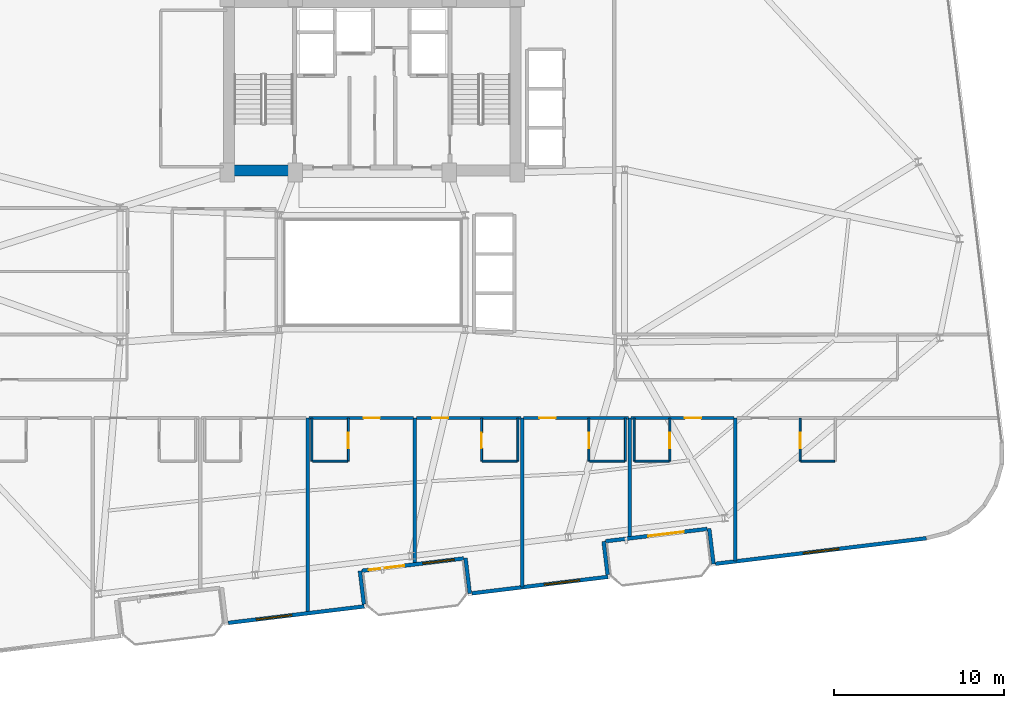
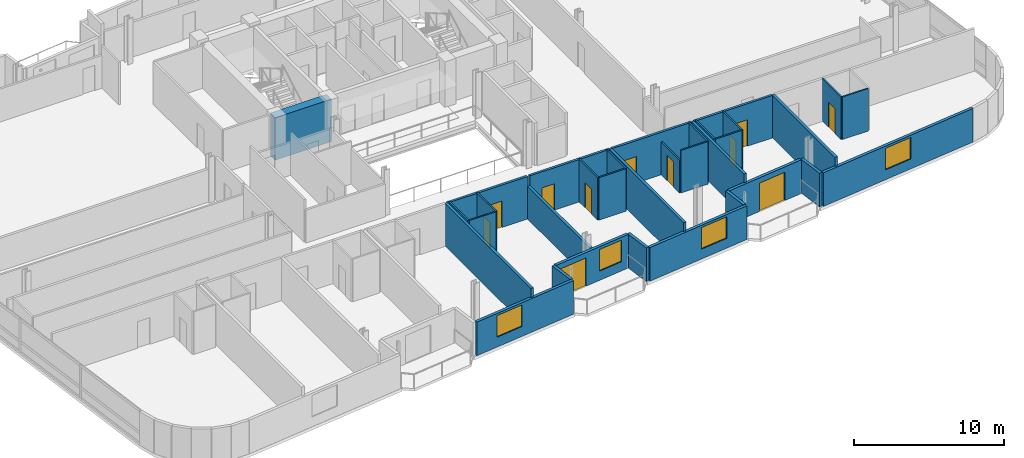
# One storey, part 15 of 23: 33 walls, 11 doors, 4 windows, 15 openings.
"""IFC4 building model written with IfcOpenShell, lengths in metres."""

import ifcopenshell
import ifcopenshell.guid

model = None  # the IFC model being written
_history = None  # IfcOwnerHistory: only IFC2X3 demands one
_inside = {}  # id of a spatial element -> (the spatial element, [elements in it])
_under = {}  # id of a project, library or spatial element -> (it, [spatial elements below it])
_declared = {}  # id of a project -> (the project, [libraries it declares])
_typed = {}  # id of a type object -> (the type object, [elements of that type])
_made_of = {}  # id of a material, layer set ... -> (it, [elements and type objects made of it])


def new_model(schema):
    """Start an empty IFC model of exactly this schema.

    Asked for "IFC4X3", IfcOpenShell would pick the latest addendum, in which some entities
    have other attributes; the version numbers below select the first issue.
    IFC2X3 requires an IfcOwnerHistory on every rooted entity: one is made here for all.
    """
    global model, _history
    if schema == "IFC4X3":
        model = ifcopenshell.file(schema_version=(4, 3, 0, 0))
    else:
        model = ifcopenshell.file(schema=schema)
    _inside.clear()
    _under.clear()
    _declared.clear()
    _typed.clear()
    _made_of.clear()
    _history = None
    if model.schema == "IFC2X3":
        org = make("IfcOrganization", Name="unknown")
        user = make(
            "IfcPersonAndOrganization",
            ThePerson=make("IfcPerson", FamilyName="unknown"),
            TheOrganization=org,
        )
        app = make(
            "IfcApplication",
            ApplicationDeveloper=org,
            Version="unknown",
            ApplicationFullName="unknown",
            ApplicationIdentifier="unknown",
        )
        _history = make(
            "IfcOwnerHistory",
            OwningUser=user,
            OwningApplication=app,
            ChangeAction="ADDED",
            CreationDate=0,
        )
    return model


def make(cls, **values):
    """One entity of the class cls with the attributes given. An attribute that is None is left unset."""
    return model.create_entity(
        cls, **{name: value for name, value in values.items() if value is not None}
    )


def rooted(cls, **values):
    """An entity with a GlobalId (a new one), such as an element, a storey or a relation."""
    return make(cls, GlobalId=ifcopenshell.guid.new(), OwnerHistory=_history, **values)


def si_unit(unit_type, name, prefix=None):
    """IfcSIUnit, for example si_unit("LENGTHUNIT", "METRE", prefix="MILLI")."""
    return make("IfcSIUnit", UnitType=unit_type, Prefix=prefix, Name=name)


def assignment(units):
    """IfcUnitAssignment: the units of a project."""
    return None if units is None else make("IfcUnitAssignment", Units=units)


def point(xyz):
    """IfcCartesianPoint."""
    return None if xyz is None else make("IfcCartesianPoint", Coordinates=xyz)


def direction(xyz):
    """IfcDirection."""
    return None if xyz is None else make("IfcDirection", DirectionRatios=xyz)


def frame(location, z_axis=None, x_axis=None):
    """IfcAxis2Placement3D, a coordinate frame: its origin and axes. An axis left out is left unset."""
    return make(
        "IfcAxis2Placement3D",
        Location=point(location),
        Axis=direction(z_axis),
        RefDirection=direction(x_axis),
    )


def frame_2d(location, x_axis=None):
    """IfcAxis2Placement2D, a coordinate frame in the plane: its origin and x axis."""
    return make(
        "IfcAxis2Placement2D", Location=point(location), RefDirection=direction(x_axis)
    )


def origin():
    """The frame at (0, 0, 0) with its axes left unset."""
    return frame((0.0, 0.0, 0.0))


def place(relative_to, where):
    """IfcLocalPlacement: puts the frame where relative to a parent placement (None: the world)."""
    return make(
        "IfcLocalPlacement", PlacementRelTo=relative_to, RelativePlacement=where
    )


def context(
    kind, dimensions, precision=None, world=None, true_north=None, identifier=None
):
    """IfcGeometricRepresentationContext, for example the 3D "Model" context."""
    return make(
        "IfcGeometricRepresentationContext",
        ContextIdentifier=identifier,
        ContextType=kind,
        CoordinateSpaceDimension=dimensions,
        Precision=precision,
        WorldCoordinateSystem=world,
        TrueNorth=true_north,
    )


def subcontext(parent, identifier, kind, view, scale=None):
    """IfcGeometricRepresentationSubContext, for example "Body" below "Model"."""
    return make(
        "IfcGeometricRepresentationSubContext",
        ContextIdentifier=identifier,
        ContextType=kind,
        ParentContext=parent,
        TargetScale=scale,
        TargetView=view,
    )


def project(units=None, contexts=None):
    """IfcProject with its units and contexts."""
    return rooted(
        "IfcProject",
        Name="project",
        RepresentationContexts=contexts,
        UnitsInContext=assignment(units),
    )


def spatial(cls, under=None, at=None, **own):
    """A site, building, storey or space (cls), placed at a placement, below another one or the project."""
    s = rooted(cls, ObjectPlacement=at, **own)
    if under is not None:
        _under.setdefault(under.id(), (under, []))[1].append(s)
    return s


def profile(cls, at=None, kind="AREA", **sizes):
    """A parametric profile (cls). Its sizes go by their IFC names, for example OverallWidth=200.0."""
    return make(cls, ProfileType=kind, Position=at, **sizes)


def rectangle(**sizes):
    """IfcRectangleProfileDef."""
    return profile("IfcRectangleProfileDef", **sizes)


def extrude(swept, where, along, depth):
    """IfcExtrudedAreaSolid: the profile swept, set in the frame where, extruded along a direction by depth."""
    return make(
        "IfcExtrudedAreaSolid",
        SweptArea=swept,
        Position=where,
        ExtrudedDirection=direction(along),
        Depth=depth,
    )


def shape(context_of_items, identifier, shape_type, items):
    """IfcShapeRepresentation: the items that make up one representation, for example the "Body"."""
    return make(
        "IfcShapeRepresentation",
        ContextOfItems=context_of_items,
        RepresentationIdentifier=identifier,
        RepresentationType=shape_type,
        Items=items,
    )


def material(Name=None, Category=None):
    """IfcMaterial."""
    return make("IfcMaterial", Name=Name, Category=Category)


def layer(
    of_material, thickness, ventilated=None, Name=None, Category=None, Priority=None
):
    """IfcMaterialLayer: one layer of a wall or slab, of a material (None: an air gap)."""
    return make(
        "IfcMaterialLayer",
        Material=of_material,
        LayerThickness=thickness,
        IsVentilated=ventilated,
        Name=Name,
        Category=Category,
        Priority=Priority,
    )


def layer_set(layers, Name=None):
    """IfcMaterialLayerSet."""
    return make("IfcMaterialLayerSet", MaterialLayers=layers, LayerSetName=Name)


def made_of(thing, what):
    """Note that an element or type object is made of a material, layer set ...; save() writes the relation."""
    if what is not None:
        _made_of.setdefault(what.id(), (what, []))[1].append(thing)
    return thing


def type_object(cls, material=None, **own):
    """A type object (cls), such as IfcWallType, which elements share."""
    return made_of(rooted(cls, **own), material)


def element(
    cls,
    number,
    at=None,
    inside=None,
    cuts=None,
    type_object=None,
    material=None,
    context=None,
    identifier="Body",
    shape_type=None,
    held_by="IfcProductDefinitionShape",
    body=None,
    shapes=None,
    **own,
):
    """One element of the class cls, such as IfcWall. Its Tag is "e" and its number.

    at: its placement. inside: the storey or other place that contains it. cuts: it is an
    opening in that element (IfcRelVoidsElement). A single representation is given by context,
    identifier, shape_type and body (its items); several are given by shapes. held_by: the class
    of the entity that holds the representations. save() writes the other relations.
    """
    e = rooted(cls, Tag="e%d" % number, ObjectPlacement=at, **own)
    if body is not None:
        shapes = [shape(context, identifier, shape_type, body)]
    if shapes is not None:
        e.Representation = make(held_by, Representations=shapes)
    if inside is not None:
        _inside.setdefault(inside.id(), (inside, []))[1].append(e)
    if cuts is not None:
        rooted(
            "IfcRelVoidsElement", RelatingBuildingElement=cuts, RelatedOpeningElement=e
        )
    if type_object is not None:
        _typed.setdefault(type_object.id(), (type_object, []))[1].append(e)
    return made_of(e, material)


def fill(opening, filler):
    """IfcRelFillsElement: the door or window that sits in an opening."""
    return rooted(
        "IfcRelFillsElement",
        RelatingOpeningElement=opening,
        RelatedBuildingElement=filler,
    )


def aggregate(whole, parts):
    """IfcRelAggregates: a whole, such as a stair, and the parts it consists of."""
    return rooted("IfcRelAggregates", RelatingObject=whole, RelatedObjects=parts)


def save(model, path):
    """Write the relations noted so far, then the file.

    IfcRelAggregates (storeys below a building ...), IfcRelContainedInSpatialStructure (elements
    in a storey), IfcRelDefinesByType, IfcRelAssociatesMaterial and IfcRelDeclares: one each for
    every whole, place, type object, material and project.
    """
    for whole, parts in _under.values():
        aggregate(whole, parts)
    for where, things in _inside.values():
        rooted(
            "IfcRelContainedInSpatialStructure",
            RelatedElements=things,
            RelatingStructure=where,
        )
    for kind, things in _typed.values():
        rooted("IfcRelDefinesByType", RelatedObjects=things, RelatingType=kind)
    for what, things in _made_of.values():
        rooted("IfcRelAssociatesMaterial", RelatedObjects=things, RelatingMaterial=what)
    for by, libraries in _declared.values():
        rooted("IfcRelDeclares", RelatingContext=by, RelatedDefinitions=libraries)
    model.write(path)


model = new_model("IFC4")

# Units and contexts
model_context = context("Model", 3, precision=1e-05, world=origin(), true_north=direction((0.0, 1.0)))
body_context = subcontext(model_context, "Body", "Model", "MODEL_VIEW")
ifc_project = project(units=[si_unit("LENGTHUNIT", "METRE"), si_unit("AREAUNIT", "SQUARE_METRE"), si_unit("VOLUMEUNIT", "CUBIC_METRE"), si_unit("PLANEANGLEUNIT", "RADIAN"), si_unit("MASSUNIT", "GRAM", prefix="KILO")], contexts=[model_context])

# Site, building, storey
site_placement = place(None, origin())
site = spatial("IfcSite", under=ifc_project, at=site_placement, CompositionType="ELEMENT")
building_placement = place(site_placement, origin())
building = spatial("IfcBuilding", under=site, at=building_placement, Name="Varnelok Gate Tower", CompositionType="ELEMENT")
storey_placement = place(building_placement, frame((0.0, 0.0, 200.5)))
storey = spatial("IfcBuildingStorey", under=building, at=storey_placement, Name="L51", CompositionType="ELEMENT", Elevation=200.5)

# Wall, openings, door, window
ifc_material_1 = material(Name="Concrete C45/55", Category="concrete")
ifc_layer_1 = layer(ifc_material_1, 0.219970703125)
ifc_layer_set_1 = layer_set([ifc_layer_1], Name="Concrete C45/55")
wall_type_1 = type_object("IfcWallType", Name="EW-BALC-220", PredefinedType="SOLIDWALL", material=ifc_layer_set_1)
wall_1_placement = place(storey_placement, frame((44.5478515625, 6.114013671875, 0.0), z_axis=(0.0, 0.0, 1.0), x_axis=(-0.992735402148, -0.120318000826, 0.0)))
wall_1 = element("IfcWall", 1, at=wall_1_placement, inside=storey, type_object=wall_type_1, Name="L51 South Terrace Envelope Wall 2", PredefinedType="SOLIDWALL", context=body_context, shape_type="SweptSolid", body=[
    extrude(rectangle(XDim=6.000244140625, YDim=0.219970703125, at=frame_2d((3.0, 0.0))), origin(), (0.0, 0.0, 1.0), 2.72998046875),
])
opening_1_placement = place(wall_1_placement, frame((3.5, 0.0, 0.0)))
opening_1 = element("IfcOpeningElement", 2, at=opening_1_placement, cuts=wall_1, Name="Opening BD-2", PredefinedType="OPENING", context=body_context, shape_type="SweptSolid", body=[
    extrude(rectangle(XDim=2.10009765625, YDim=2.300048828125, at=frame_2d((1.050048828125, 1.14990234375))), frame((0.0, 0.119873046875, 0.0), z_axis=(0.0, -1.0, 0.0), x_axis=(1.0, 0.0, 0.0)), (0.0, 0.0, 1.0), 0.239990234375),
])
opening_2_placement = place(wall_1_placement, frame((0.550048828125, 0.0, 0.75)))
opening_2 = element("IfcOpeningElement", 3, at=opening_2_placement, cuts=wall_1, Name="Opening WN5", PredefinedType="OPENING", context=body_context, shape_type="SweptSolid", body=[
    extrude(rectangle(XDim=1.85009765625, YDim=1.75, at=frame_2d((0.925048828125, 0.875))), frame((0.0, 0.119873046875, 0.0), z_axis=(0.0, -1.0, 0.0), x_axis=(1.0, 0.0, 0.0)), (0.0, 0.0, 1.0), 0.239990234375),
])
ifc_material_2 = material(Name="Anodized Aluminum Alloy 6063-T6", Category="aluminium")
door_type_1 = type_object("IfcDoorType", Name="DR-EXT-SLID2100", OperationType="SLIDING_TO_LEFT", PredefinedType="DOOR", material=ifc_material_2)
door_1_placement = place(opening_1_placement, origin())
door_1 = element("IfcDoor", 4, at=door_1_placement, inside=storey, type_object=door_type_1, Name="L51 South Balcony Glazed Door 2", OperationType="SLIDING_TO_LEFT", OverallHeight=2.300048828125, OverallWidth=2.10009765625, PredefinedType="DOOR", context=body_context, shape_type="SweptSolid", body=[
    extrude(rectangle(XDim=2.10009765625, YDim=2.300048828125, at=frame_2d((1.050048828125, 1.14990234375))), frame((0.0, 0.02490234375, 0.0), z_axis=(0.0, -1.0, 0.0), x_axis=(1.0, 0.0, 0.0)), (0.0, 0.0, 1.0), 0.050048828125),
])
fill(opening_1, door_1)
ifc_material_3 = material(Name="Low-E Laminated Double Glazing IGU", Category="glass")
window_type_1 = type_object("IfcWindowType", Name="WN-RES-1850", PartitioningType="SINGLE_PANEL", PredefinedType="WINDOW", material=ifc_material_3)
window_1_placement = place(opening_2_placement, origin())
window_1 = element("IfcWindow", 5, at=window_1_placement, inside=storey, type_object=window_type_1, Name="L51 South Vision Window 2.1", OverallHeight=1.75, OverallWidth=1.85009765625, PartitioningType="SINGLE_PANEL", PredefinedType="WINDOW", context=body_context, shape_type="SweptSolid", body=[
    extrude(rectangle(XDim=1.85009765625, YDim=1.75, at=frame_2d((0.925048828125, 0.875))), frame((0.0, 0.030029296875, 0.0), z_axis=(0.0, -1.0, 0.0), x_axis=(1.0, 0.0, 0.0)), (0.0, 0.0, 1.0), 0.06005859375),
])
fill(opening_2, window_1)

# Wall, opening, door
wall_2_placement = place(storey_placement, frame((58.843017578125, 7.84716796875, 0.0), z_axis=(0.0, 0.0, 1.0), x_axis=(-0.992729951822, -0.120362962556, 0.0)))
wall_2 = element("IfcWall", 6, at=wall_2_placement, inside=storey, type_object=wall_type_1, Name="L51 South Terrace Envelope Wall 3", PredefinedType="SOLIDWALL", context=body_context, shape_type="SweptSolid", body=[
    extrude(rectangle(XDim=6.0, YDim=0.219970703125, at=frame_2d((3.0, 0.0))), origin(), (0.0, 0.0, 1.0), 2.72998046875),
])
opening_3_placement = place(wall_2_placement, frame((1.39208984375, 0.0, 0.0)))
opening_3 = element("IfcOpeningElement", 7, at=opening_3_placement, cuts=wall_2, Name="Opening BD-2", PredefinedType="OPENING", context=body_context, shape_type="SweptSolid", body=[
    extrude(rectangle(XDim=2.10009765625, YDim=2.300048828125, at=frame_2d((1.050048828125, 1.14990234375))), frame((0.0, 0.119873046875, 0.0), z_axis=(0.0, -1.0, 0.0), x_axis=(1.0, 0.0, 0.0)), (0.0, 0.0, 1.0), 0.239990234375),
])
door_2_placement = place(opening_3_placement, origin())
door_2 = element("IfcDoor", 8, at=door_2_placement, inside=storey, type_object=door_type_1, Name="L51 South Balcony Glazed Door 3", OperationType="SLIDING_TO_LEFT", OverallHeight=2.300048828125, OverallWidth=2.10009765625, PredefinedType="DOOR", context=body_context, shape_type="SweptSolid", body=[
    extrude(rectangle(XDim=2.10009765625, YDim=2.300048828125, at=frame_2d((1.050048828125, 1.14990234375))), frame((0.0, 0.02490234375, 0.0), z_axis=(0.0, -1.0, 0.0), x_axis=(1.0, 0.0, 0.0)), (0.0, 0.0, 1.0), 0.050048828125),
])
fill(opening_3, door_2)

# Wall, opening, window
wall_3_placement = place(storey_placement, frame((30.747314453125, 2.335693359375, 0.0), z_axis=(0.0, 0.0, 1.0), x_axis=(0.992731032022, 0.120354052946, 0.0)))
wall_3 = element("IfcWall", 9, at=wall_3_placement, inside=storey, type_object=wall_type_1, Name="L51 Perimeter Facade Closure Wall 10", PredefinedType="SOLIDWALL", context=body_context, shape_type="SweptSolid", body=[
    extrude(rectangle(XDim=8.034912109375, YDim=0.219970703125, at=frame_2d((4.017578125, 0.0))), origin(), (0.0, 0.0, 1.0), 2.72998046875),
])
opening_4_placement = place(wall_3_placement, frame((1.661865234375, 0.0, 0.800048828125)))
opening_4 = element("IfcOpeningElement", 10, at=opening_4_placement, cuts=wall_3, Name="Opening WN4", PredefinedType="OPENING", context=body_context, shape_type="SweptSolid", body=[
    extrude(rectangle(XDim=2.10009765625, YDim=1.75, at=frame_2d((1.050048828125, 0.875))), frame((0.0, 0.119873046875, 0.0), z_axis=(0.0, -1.0, 0.0), x_axis=(1.0, 0.0, 0.0)), (0.0, 0.0, 1.0), 0.239990234375),
])
window_type_2 = type_object("IfcWindowType", Name="WN-SUI-2100", PartitioningType="SINGLE_PANEL", PredefinedType="WINDOW", material=ifc_material_3)
window_2_placement = place(opening_4_placement, origin())
window_2 = element("IfcWindow", 11, at=window_2_placement, inside=storey, type_object=window_type_2, Name="L51 Perimeter Vision Window 10", OverallHeight=1.75, OverallWidth=2.10009765625, PartitioningType="SINGLE_PANEL", PredefinedType="WINDOW", context=body_context, shape_type="SweptSolid", body=[
    extrude(rectangle(XDim=2.10009765625, YDim=1.75, at=frame_2d((1.050048828125, 0.875))), frame((0.0, 0.030029296875, 0.0), z_axis=(0.0, -1.0, 0.0), x_axis=(1.0, 0.0, 0.0)), (0.0, 0.0, 1.0), 0.06005859375),
])
fill(opening_4, window_2)

# Walls
wall_4_placement = place(storey_placement, frame((38.708740234375, 3.427001953125, 0.0), z_axis=(0.0, 0.0, 1.0), x_axis=(-0.120397815541, 0.992725725472, 0.0)))
element("IfcWall", 12, at=wall_4_placement, inside=storey, type_object=wall_type_1, Name="L51 Perimeter Facade Closure Wall 11", PredefinedType="SOLIDWALL", context=body_context, shape_type="SweptSolid", body=[
    extrude(rectangle(XDim=1.97509765625, YDim=0.219970703125, at=frame_2d((0.987548828125, 0.0))), origin(), (0.0, 0.0, 1.0), 2.72998046875),
])
wall_5_placement = place(storey_placement, frame((44.665771484375, 6.138427734375, 0.0), z_axis=(0.0, 0.0, 1.0), x_axis=(0.120327895535, -0.992734202874, 0.0)))
element("IfcWall", 13, at=wall_5_placement, inside=storey, type_object=wall_type_1, Name="L51 Perimeter Facade Closure Wall 12", PredefinedType="SOLIDWALL", context=body_context, shape_type="SweptSolid", body=[
    extrude(rectangle(XDim=2.099853515625, YDim=0.219970703125, at=frame_2d((1.0498046875, 0.0))), origin(), (0.0, 0.0, 1.0), 2.72998046875),
])

# Wall, opening, window
wall_6_placement = place(storey_placement, frame((45.04248046875, 4.06884765625, 0.0), z_axis=(0.0, 0.0, 1.0), x_axis=(0.992731032022, 0.120354052946, 0.0)))
wall_6 = element("IfcWall", 14, at=wall_6_placement, inside=storey, type_object=wall_type_1, Name="L51 Perimeter Facade Closure Wall 13", PredefinedType="SOLIDWALL", context=body_context, shape_type="SweptSolid", body=[
    extrude(rectangle(XDim=8.034912109375, YDim=0.219970703125, at=frame_2d((4.017578125, 0.0))), origin(), (0.0, 0.0, 1.0), 2.72998046875),
])
opening_5_placement = place(wall_6_placement, frame((4.273193359375, 0.0, 0.800048828125)))
opening_5 = element("IfcOpeningElement", 15, at=opening_5_placement, cuts=wall_6, Name="Opening WN4", PredefinedType="OPENING", context=body_context, shape_type="SweptSolid", body=[
    extrude(rectangle(XDim=2.10009765625, YDim=1.75, at=frame_2d((1.050048828125, 0.875))), frame((0.0, 0.119873046875, 0.0), z_axis=(0.0, -1.0, 0.0), x_axis=(1.0, 0.0, 0.0)), (0.0, 0.0, 1.0), 0.239990234375),
])
window_3_placement = place(opening_5_placement, origin())
window_3 = element("IfcWindow", 16, at=window_3_placement, inside=storey, type_object=window_type_2, Name="L51 Perimeter Vision Window 13", OverallHeight=1.75, OverallWidth=2.10009765625, PartitioningType="SINGLE_PANEL", PredefinedType="WINDOW", context=body_context, shape_type="SweptSolid", body=[
    extrude(rectangle(XDim=2.10009765625, YDim=1.75, at=frame_2d((1.050048828125, 0.875))), frame((0.0, 0.030029296875, 0.0), z_axis=(0.0, -1.0, 0.0), x_axis=(1.0, 0.0, 0.0)), (0.0, 0.0, 1.0), 0.06005859375),
])
fill(opening_5, window_3)

# Walls
wall_7_placement = place(storey_placement, frame((53.004150390625, 5.159912109375, 0.0), z_axis=(0.0, 0.0, 1.0), x_axis=(-0.120397815541, 0.992725725472, 0.0)))
element("IfcWall", 17, at=wall_7_placement, inside=storey, type_object=wall_type_1, Name="L51 Perimeter Facade Closure Wall 14", PredefinedType="SOLIDWALL", context=body_context, shape_type="SweptSolid", body=[
    extrude(rectangle(XDim=1.97509765625, YDim=0.219970703125, at=frame_2d((0.987548828125, 0.0))), origin(), (0.0, 0.0, 1.0), 2.72998046875),
])
wall_8_placement = place(storey_placement, frame((58.961181640625, 7.87158203125, 0.0), z_axis=(0.0, 0.0, 1.0), x_axis=(0.120327895535, -0.992734202874, 0.0)))
element("IfcWall", 18, at=wall_8_placement, inside=storey, type_object=wall_type_1, Name="L51 Perimeter Facade Closure Wall 15", PredefinedType="SOLIDWALL", context=body_context, shape_type="SweptSolid", body=[
    extrude(rectangle(XDim=2.099853515625, YDim=0.219970703125, at=frame_2d((1.0498046875, 0.0))), origin(), (0.0, 0.0, 1.0), 2.72998046875),
])

# Wall, opening, window
wall_9_placement = place(storey_placement, frame((59.337890625, 5.8017578125, 0.0), z_axis=(0.0, 0.0, 1.0), x_axis=(0.992731225757, 0.120352454927, 0.0)))
wall_9 = element("IfcWall", 19, at=wall_9_placement, inside=storey, type_object=wall_type_1, Name="L51 Perimeter Facade Closure Wall 16", PredefinedType="SOLIDWALL", context=body_context, shape_type="SweptSolid", body=[
    extrude(rectangle(XDim=12.447265625, YDim=0.219970703125, at=frame_2d((6.2236328125, 0.0))), origin(), (0.0, 0.0, 1.0), 2.72998046875),
])
opening_6_placement = place(wall_9_placement, frame((5.173583984375, 0.0, 0.800048828125)))
opening_6 = element("IfcOpeningElement", 20, at=opening_6_placement, cuts=wall_9, Name="Opening WN4", PredefinedType="OPENING", context=body_context, shape_type="SweptSolid", body=[
    extrude(rectangle(XDim=2.10009765625, YDim=1.75, at=frame_2d((1.050048828125, 0.875))), frame((0.0, 0.119873046875, 0.0), z_axis=(0.0, -1.0, 0.0), x_axis=(1.0, 0.0, 0.0)), (0.0, 0.0, 1.0), 0.239990234375),
])
window_4_placement = place(opening_6_placement, origin())
window_4 = element("IfcWindow", 21, at=window_4_placement, inside=storey, type_object=window_type_2, Name="L51 Perimeter Vision Window 16", OverallHeight=1.75, OverallWidth=2.10009765625, PartitioningType="SINGLE_PANEL", PredefinedType="WINDOW", context=body_context, shape_type="SweptSolid", body=[
    extrude(rectangle(XDim=2.10009765625, YDim=1.75, at=frame_2d((1.050048828125, 0.875))), frame((0.0, 0.030029296875, 0.0), z_axis=(0.0, -1.0, 0.0), x_axis=(1.0, 0.0, 0.0)), (0.0, 0.0, 1.0), 0.06005859375),
])
fill(opening_6, window_4)

# Wall, opening, door
ifc_material_4 = material(Name="Gypsum Plasterboard Acoustic Partition", Category="gypsum")
ifc_layer_2 = layer(ifc_material_4, 0.179931640625)
ifc_layer_set_2 = layer_set([ifc_layer_2], Name="Gypsum Plasterboard Acoustic Partition")
wall_type_2 = type_object("IfcWallType", Name="PW-CORR-180", PredefinedType="PARTITIONING", material=ifc_layer_set_2)
wall_10_placement = place(storey_placement, frame((35.47998046875, 14.35009765625, 0.0), z_axis=(0.0, 0.0, 1.0), x_axis=(1.0, 0.0, 0.0)))
wall_10 = element("IfcWall", 22, at=wall_10_placement, inside=storey, type_object=wall_type_2, Name="Interior Partition", PredefinedType="PARTITIONING", context=body_context, shape_type="SweptSolid", body=[
    extrude(rectangle(XDim=6.14013671875, YDim=0.179931640625, at=frame_2d((3.070068359375, 0.0))), origin(), (0.0, 0.0, 1.0), 3.449951171875),
])
opening_7_placement = place(wall_10_placement, frame((3.21435546875, 0.0, 0.0)))
opening_7 = element("IfcOpeningElement", 23, at=opening_7_placement, cuts=wall_10, Name="Opening D-HT", PredefinedType="OPENING", context=body_context, shape_type="SweptSolid", body=[
    extrude(rectangle(XDim=0.949951171875, YDim=2.14990234375, at=frame_2d((0.47509765625, 1.074951171875))), frame((0.0, 0.099853515625, 0.0), z_axis=(0.0, -1.0, 0.0), x_axis=(1.0, 0.0, 0.0)), (0.0, 0.0, 1.0), 0.199951171875),
])
ifc_material_5 = material(Name="Engineered Hardwood Timber", Category="wood")
door_type_2 = type_object("IfcDoorType", Name="DR-HTL-950", OperationType="NOTDEFINED", PredefinedType="DOOR", material=ifc_material_5)
door_3_placement = place(opening_7_placement, origin())
door_3 = element("IfcDoor", 24, at=door_3_placement, inside=storey, type_object=door_type_2, Name="L51 Guest Room 05 Entrance Door", OperationType="SINGLE_SWING_RIGHT", OverallHeight=2.14990234375, OverallWidth=0.949951171875, PredefinedType="DOOR", context=body_context, shape_type="SweptSolid", body=[
    extrude(rectangle(XDim=0.949951171875, YDim=2.14990234375, at=frame_2d((0.47509765625, 1.074951171875))), frame((0.0, 0.02490234375, 0.0), z_axis=(0.0, -1.0, 0.0), x_axis=(1.0, 0.0, 0.0)), (0.0, 0.0, 1.0), 0.050048828125),
])
fill(opening_7, door_3)

wall_11_placement = place(storey_placement, frame((41.780029296875, 14.35009765625, 0.0), z_axis=(0.0, 0.0, 1.0), x_axis=(1.0, 0.0, 0.0)))
wall_11 = element("IfcWall", 25, at=wall_11_placement, inside=storey, type_object=wall_type_2, Name="Interior Partition", PredefinedType="PARTITIONING", context=body_context, shape_type="SweptSolid", body=[
    extrude(rectangle(XDim=6.139892578125, YDim=0.179931640625, at=frame_2d((3.06982421875, 0.0))), origin(), (0.0, 0.0, 1.0), 3.449951171875),
])
opening_8_placement = place(wall_11_placement, frame((0.92236328125, 0.0, 0.0)))
opening_8 = element("IfcOpeningElement", 26, at=opening_8_placement, cuts=wall_11, Name="Opening D-HT", PredefinedType="OPENING", context=body_context, shape_type="SweptSolid", body=[
    extrude(rectangle(XDim=0.949951171875, YDim=2.14990234375, at=frame_2d((0.47509765625, 1.074951171875))), frame((0.0, 0.099853515625, 0.0), z_axis=(0.0, -1.0, 0.0), x_axis=(1.0, 0.0, 0.0)), (0.0, 0.0, 1.0), 0.199951171875),
])
door_4_placement = place(opening_8_placement, origin())
door_4 = element("IfcDoor", 27, at=door_4_placement, inside=storey, type_object=door_type_2, Name="L51 Guest Room 06 Entrance Door", OperationType="SINGLE_SWING_LEFT", OverallHeight=2.14990234375, OverallWidth=0.949951171875, PredefinedType="DOOR", context=body_context, shape_type="SweptSolid", body=[
    extrude(rectangle(XDim=0.949951171875, YDim=2.14990234375, at=frame_2d((0.47509765625, 1.074951171875))), frame((0.0, 0.02490234375, 0.0), z_axis=(0.0, -1.0, 0.0), x_axis=(1.0, 0.0, 0.0)), (0.0, 0.0, 1.0), 0.050048828125),
])
fill(opening_8, door_4)

wall_12_placement = place(storey_placement, frame((48.080078125, 14.35009765625, 0.0), z_axis=(0.0, 0.0, 1.0), x_axis=(1.0, 0.0, 0.0)))
wall_12 = element("IfcWall", 28, at=wall_12_placement, inside=storey, type_object=wall_type_2, Name="Interior Partition", PredefinedType="PARTITIONING", context=body_context, shape_type="SweptSolid", body=[
    extrude(rectangle(XDim=6.139892578125, YDim=0.179931640625, at=frame_2d((3.06982421875, 0.0))), origin(), (0.0, 0.0, 1.0), 3.449951171875),
])
opening_9_placement = place(wall_12_placement, frame((0.92236328125, 0.0, 0.0)))
opening_9 = element("IfcOpeningElement", 29, at=opening_9_placement, cuts=wall_12, Name="Opening D-HT", PredefinedType="OPENING", context=body_context, shape_type="SweptSolid", body=[
    extrude(rectangle(XDim=0.949951171875, YDim=2.14990234375, at=frame_2d((0.47509765625, 1.074951171875))), frame((0.0, 0.099853515625, 0.0), z_axis=(0.0, -1.0, 0.0), x_axis=(1.0, 0.0, 0.0)), (0.0, 0.0, 1.0), 0.199951171875),
])
door_5_placement = place(opening_9_placement, origin())
door_5 = element("IfcDoor", 30, at=door_5_placement, inside=storey, type_object=door_type_2, Name="L51 Guest Room 07 Entrance Door", OperationType="SINGLE_SWING_RIGHT", OverallHeight=2.14990234375, OverallWidth=0.949951171875, PredefinedType="DOOR", context=body_context, shape_type="SweptSolid", body=[
    extrude(rectangle(XDim=0.949951171875, YDim=2.14990234375, at=frame_2d((0.47509765625, 1.074951171875))), frame((0.0, 0.02490234375, 0.0), z_axis=(0.0, -1.0, 0.0), x_axis=(1.0, 0.0, 0.0)), (0.0, 0.0, 1.0), 0.050048828125),
])
fill(opening_9, door_5)

wall_13_placement = place(storey_placement, frame((54.3798828125, 14.35009765625, 0.0), z_axis=(0.0, 0.0, 1.0), x_axis=(1.0, 0.0, 0.0)))
wall_13 = element("IfcWall", 31, at=wall_13_placement, inside=storey, type_object=wall_type_2, Name="Interior Partition", PredefinedType="PARTITIONING", context=body_context, shape_type="SweptSolid", body=[
    extrude(rectangle(XDim=6.0400390625, YDim=0.179931640625, at=frame_2d((3.02001953125, 0.0))), origin(), (0.0, 0.0, 1.0), 3.449951171875),
])
opening_10_placement = place(wall_13_placement, frame((3.159912109375, 0.0, 0.0)))
opening_10 = element("IfcOpeningElement", 32, at=opening_10_placement, cuts=wall_13, Name="Opening D-HT", PredefinedType="OPENING", context=body_context, shape_type="SweptSolid", body=[
    extrude(rectangle(XDim=0.949951171875, YDim=2.14990234375, at=frame_2d((0.47509765625, 1.074951171875))), frame((0.0, 0.099853515625, 0.0), z_axis=(0.0, -1.0, 0.0), x_axis=(1.0, 0.0, 0.0)), (0.0, 0.0, 1.0), 0.199951171875),
])
door_6_placement = place(opening_10_placement, origin())
door_6 = element("IfcDoor", 33, at=door_6_placement, inside=storey, type_object=door_type_2, Name="L51 Guest Room 08 Entrance Door", OperationType="SINGLE_SWING_LEFT", OverallHeight=2.14990234375, OverallWidth=0.949951171875, PredefinedType="DOOR", context=body_context, shape_type="SweptSolid", body=[
    extrude(rectangle(XDim=0.949951171875, YDim=2.14990234375, at=frame_2d((0.47509765625, 1.074951171875))), frame((0.0, 0.02490234375, 0.0), z_axis=(0.0, -1.0, 0.0), x_axis=(1.0, 0.0, 0.0)), (0.0, 0.0, 1.0), 0.050048828125),
])
fill(opening_10, door_6)

# Wall
ifc_layer_3 = layer(ifc_material_4, 0.114990234375)
ifc_layer_set_3 = layer_set([ifc_layer_3], Name="Gypsum Plasterboard Acoustic Partition")
wall_type_3 = type_object("IfcWallType", Name="PW-ENS-125", PredefinedType="PARTITIONING", material=ifc_layer_set_3)
wall_14_placement = place(storey_placement, frame((35.699951171875, 11.830078125, 0.0), z_axis=(0.0, 0.0, 1.0), x_axis=(1.0, 0.0, 0.0)))
element("IfcWall", 34, at=wall_14_placement, inside=storey, type_object=wall_type_3, Name="Interior Partition", PredefinedType="PARTITIONING", context=body_context, shape_type="SweptSolid", body=[
    extrude(rectangle(XDim=2.052001953125, YDim=0.114990234375, at=frame_2d((1.02587890625, 0.0))), origin(), (0.0, 0.0, 1.0), 3.449951171875),
])

# Wall, opening, door
wall_15_placement = place(storey_placement, frame((37.7919921875, 11.830078125, 0.0), z_axis=(0.0, 0.0, 1.0), x_axis=(0.0, 1.0, 0.0)))
wall_15 = element("IfcWall", 35, at=wall_15_placement, inside=storey, type_object=wall_type_3, Name="Interior Partition", PredefinedType="PARTITIONING", context=body_context, shape_type="SweptSolid", body=[
    extrude(rectangle(XDim=2.52001953125, YDim=0.114990234375, at=frame_2d((1.260009765625, 0.0))), origin(), (0.0, 0.0, 1.0), 3.449951171875),
])
opening_11_placement = place(wall_15_placement, frame((0.760009765625, 0.0, 0.0)))
opening_11 = element("IfcOpeningElement", 36, at=opening_11_placement, cuts=wall_15, Name="Opening D-WC", PredefinedType="OPENING", context=body_context, shape_type="SweptSolid", body=[
    extrude(rectangle(XDim=0.89990234375, YDim=2.050048828125, at=frame_2d((0.449951171875, 1.02490234375))), frame((0.0, 0.0673828125, 0.0), z_axis=(0.0, -1.0, 0.0), x_axis=(1.0, 0.0, 0.0)), (0.0, 0.0, 1.0), 0.135009765625),
])
door_type_3 = type_object("IfcDoorType", Name="DR-BATH-900", OperationType="NOTDEFINED", PredefinedType="DOOR", material=ifc_material_5)
door_7_placement = place(opening_11_placement, origin())
door_7 = element("IfcDoor", 37, at=door_7_placement, inside=storey, type_object=door_type_3, Name="L51 Guest En-Suite 05 Door", OperationType="SINGLE_SWING_LEFT", OverallHeight=2.050048828125, OverallWidth=0.89990234375, PredefinedType="DOOR", context=body_context, shape_type="SweptSolid", body=[
    extrude(rectangle(XDim=0.89990234375, YDim=2.050048828125, at=frame_2d((0.449951171875, 1.02490234375))), frame((0.0, 0.02490234375, 0.0), z_axis=(0.0, -1.0, 0.0), x_axis=(1.0, 0.0, 0.0)), (0.0, 0.0, 1.0), 0.050048828125),
])
fill(opening_11, door_7)

# Walls
wall_16_placement = place(storey_placement, frame((35.659912109375, 11.830078125, 0.0), z_axis=(0.0, 0.0, 1.0), x_axis=(0.0, 1.0, 0.0)))
element("IfcWall", 38, at=wall_16_placement, inside=storey, type_object=wall_type_3, Name="Interior Partition", PredefinedType="PARTITIONING", context=body_context, shape_type="SweptSolid", body=[
    extrude(rectangle(XDim=2.52001953125, YDim=0.114990234375, at=frame_2d((1.260009765625, 0.0))), origin(), (0.0, 0.0, 1.0), 3.449951171875),
])
wall_17_placement = place(storey_placement, frame((45.64794921875, 11.830078125, 0.0), z_axis=(0.0, 0.0, 1.0), x_axis=(1.0, 0.0, 0.0)))
element("IfcWall", 39, at=wall_17_placement, inside=storey, type_object=wall_type_3, Name="Interior Partition", PredefinedType="PARTITIONING", context=body_context, shape_type="SweptSolid", body=[
    extrude(rectangle(XDim=2.052001953125, YDim=0.114990234375, at=frame_2d((1.02587890625, 0.0))), origin(), (0.0, 0.0, 1.0), 3.449951171875),
])

# Wall, opening, door
wall_18_placement = place(storey_placement, frame((45.60791015625, 11.830078125, 0.0), z_axis=(0.0, 0.0, 1.0), x_axis=(0.0, 1.0, 0.0)))
wall_18 = element("IfcWall", 40, at=wall_18_placement, inside=storey, type_object=wall_type_3, Name="Interior Partition", PredefinedType="PARTITIONING", context=body_context, shape_type="SweptSolid", body=[
    extrude(rectangle(XDim=2.52001953125, YDim=0.114990234375, at=frame_2d((1.260009765625, 0.0))), origin(), (0.0, 0.0, 1.0), 3.449951171875),
])
opening_12_placement = place(wall_18_placement, frame((0.760009765625, 0.0, 0.0)))
opening_12 = element("IfcOpeningElement", 41, at=opening_12_placement, cuts=wall_18, Name="Opening D-WC", PredefinedType="OPENING", context=body_context, shape_type="SweptSolid", body=[
    extrude(rectangle(XDim=0.89990234375, YDim=2.050048828125, at=frame_2d((0.449951171875, 1.02490234375))), frame((0.0, 0.0673828125, 0.0), z_axis=(0.0, -1.0, 0.0), x_axis=(1.0, 0.0, 0.0)), (0.0, 0.0, 1.0), 0.135009765625),
])
door_8_placement = place(opening_12_placement, origin())
door_8 = element("IfcDoor", 42, at=door_8_placement, inside=storey, type_object=door_type_3, Name="L51 Guest En-Suite 06 Door", OperationType="SINGLE_SWING_RIGHT", OverallHeight=2.050048828125, OverallWidth=0.89990234375, PredefinedType="DOOR", context=body_context, shape_type="SweptSolid", body=[
    extrude(rectangle(XDim=0.89990234375, YDim=2.050048828125, at=frame_2d((0.449951171875, 1.02490234375))), frame((0.0, 0.02490234375, 0.0), z_axis=(0.0, -1.0, 0.0), x_axis=(1.0, 0.0, 0.0)), (0.0, 0.0, 1.0), 0.050048828125),
])
fill(opening_12, door_8)

# Walls
wall_19_placement = place(storey_placement, frame((47.739990234375, 11.830078125, 0.0), z_axis=(0.0, 0.0, 1.0), x_axis=(0.0, 1.0, 0.0)))
element("IfcWall", 43, at=wall_19_placement, inside=storey, type_object=wall_type_3, Name="Interior Partition", PredefinedType="PARTITIONING", context=body_context, shape_type="SweptSolid", body=[
    extrude(rectangle(XDim=2.52001953125, YDim=0.114990234375, at=frame_2d((1.260009765625, 0.0))), origin(), (0.0, 0.0, 1.0), 3.449951171875),
])
wall_20_placement = place(storey_placement, frame((51.947998046875, 11.830078125, 0.0), z_axis=(0.0, 0.0, 1.0), x_axis=(1.0, 0.0, 0.0)))
element("IfcWall", 44, at=wall_20_placement, inside=storey, type_object=wall_type_3, Name="Interior Partition", PredefinedType="PARTITIONING", context=body_context, shape_type="SweptSolid", body=[
    extrude(rectangle(XDim=2.052001953125, YDim=0.114990234375, at=frame_2d((1.02587890625, 0.0))), origin(), (0.0, 0.0, 1.0), 3.449951171875),
])

# Wall, opening, door
wall_21_placement = place(storey_placement, frame((51.907958984375, 11.830078125, 0.0), z_axis=(0.0, 0.0, 1.0), x_axis=(0.0, 1.0, 0.0)))
wall_21 = element("IfcWall", 45, at=wall_21_placement, inside=storey, type_object=wall_type_3, Name="Interior Partition", PredefinedType="PARTITIONING", context=body_context, shape_type="SweptSolid", body=[
    extrude(rectangle(XDim=2.52001953125, YDim=0.114990234375, at=frame_2d((1.260009765625, 0.0))), origin(), (0.0, 0.0, 1.0), 2.662109375),
])
opening_13_placement = place(wall_21_placement, frame((0.760009765625, 0.0, 0.0)))
opening_13 = element("IfcOpeningElement", 46, at=opening_13_placement, cuts=wall_21, Name="Opening D-WC", PredefinedType="OPENING", context=body_context, shape_type="SweptSolid", body=[
    extrude(rectangle(XDim=0.89990234375, YDim=2.050048828125, at=frame_2d((0.449951171875, 1.02490234375))), frame((0.0, 0.0673828125, 0.0), z_axis=(0.0, -1.0, 0.0), x_axis=(1.0, 0.0, 0.0)), (0.0, 0.0, 1.0), 0.135009765625),
])
door_9_placement = place(opening_13_placement, origin())
door_9 = element("IfcDoor", 47, at=door_9_placement, inside=storey, type_object=door_type_3, Name="L51 Guest En-Suite 07 Door", OperationType="SINGLE_SWING_RIGHT", OverallHeight=2.050048828125, OverallWidth=0.89990234375, PredefinedType="DOOR", context=body_context, shape_type="SweptSolid", body=[
    extrude(rectangle(XDim=0.89990234375, YDim=2.050048828125, at=frame_2d((0.449951171875, 1.02490234375))), frame((0.0, 0.02490234375, 0.0), z_axis=(0.0, -1.0, 0.0), x_axis=(1.0, 0.0, 0.0)), (0.0, 0.0, 1.0), 0.050048828125),
])
fill(opening_13, door_9)

# Walls
wall_22_placement = place(storey_placement, frame((54.0400390625, 11.830078125, 0.0), z_axis=(0.0, 0.0, 1.0), x_axis=(0.0, 1.0, 0.0)))
element("IfcWall", 48, at=wall_22_placement, inside=storey, type_object=wall_type_3, Name="Interior Partition", PredefinedType="PARTITIONING", context=body_context, shape_type="SweptSolid", body=[
    extrude(rectangle(XDim=2.52001953125, YDim=0.114990234375, at=frame_2d((1.260009765625, 0.0))), origin(), (0.0, 0.0, 1.0), 3.449951171875),
])
wall_23_placement = place(storey_placement, frame((54.60009765625, 11.830078125, 0.0), z_axis=(0.0, 0.0, 1.0), x_axis=(1.0, 0.0, 0.0)))
element("IfcWall", 49, at=wall_23_placement, inside=storey, type_object=wall_type_3, Name="Interior Partition", PredefinedType="PARTITIONING", context=body_context, shape_type="SweptSolid", body=[
    extrude(rectangle(XDim=2.015869140625, YDim=0.114990234375, at=frame_2d((1.0078125, 0.0))), origin(), (0.0, 0.0, 1.0), 3.449951171875),
])

# Wall, opening, door
wall_24_placement = place(storey_placement, frame((56.656005859375, 11.830078125, 0.0), z_axis=(0.0, 0.0, 1.0), x_axis=(0.0, 1.0, 0.0)))
wall_24 = element("IfcWall", 50, at=wall_24_placement, inside=storey, type_object=wall_type_3, Name="Interior Partition", PredefinedType="PARTITIONING", context=body_context, shape_type="SweptSolid", body=[
    extrude(rectangle(XDim=2.52001953125, YDim=0.114990234375, at=frame_2d((1.260009765625, 0.0))), origin(), (0.0, 0.0, 1.0), 3.449951171875),
])
opening_14_placement = place(wall_24_placement, frame((0.760009765625, 0.0, 0.0)))
opening_14 = element("IfcOpeningElement", 51, at=opening_14_placement, cuts=wall_24, Name="Opening D-WC", PredefinedType="OPENING", context=body_context, shape_type="SweptSolid", body=[
    extrude(rectangle(XDim=0.89990234375, YDim=2.050048828125, at=frame_2d((0.449951171875, 1.02490234375))), frame((0.0, 0.0673828125, 0.0), z_axis=(0.0, -1.0, 0.0), x_axis=(1.0, 0.0, 0.0)), (0.0, 0.0, 1.0), 0.135009765625),
])
door_10_placement = place(opening_14_placement, origin())
door_10 = element("IfcDoor", 52, at=door_10_placement, inside=storey, type_object=door_type_3, Name="L51 Guest En-Suite 08 Door", OperationType="SINGLE_SWING_LEFT", OverallHeight=2.050048828125, OverallWidth=0.89990234375, PredefinedType="DOOR", context=body_context, shape_type="SweptSolid", body=[
    extrude(rectangle(XDim=0.89990234375, YDim=2.050048828125, at=frame_2d((0.449951171875, 1.02490234375))), frame((0.0, 0.02490234375, 0.0), z_axis=(0.0, -1.0, 0.0), x_axis=(1.0, 0.0, 0.0)), (0.0, 0.0, 1.0), 0.050048828125),
])
fill(opening_14, door_10)

# Walls
wall_25_placement = place(storey_placement, frame((54.56005859375, 11.830078125, 0.0), z_axis=(0.0, 0.0, 1.0), x_axis=(0.0, 1.0, 0.0)))
element("IfcWall", 53, at=wall_25_placement, inside=storey, type_object=wall_type_3, Name="Interior Partition", PredefinedType="PARTITIONING", context=body_context, shape_type="SweptSolid", body=[
    extrude(rectangle(XDim=2.52001953125, YDim=0.114990234375, at=frame_2d((1.260009765625, 0.0))), origin(), (0.0, 0.0, 1.0), 3.449951171875),
])
wall_26_placement = place(storey_placement, frame((64.332763671875, 11.830078125, 0.0), z_axis=(0.0, 0.0, 1.0), x_axis=(1.0, 0.0, 0.0)))
element("IfcWall", 54, at=wall_26_placement, inside=storey, type_object=wall_type_3, Name="Interior Partition", PredefinedType="PARTITIONING", context=body_context, shape_type="SweptSolid", body=[
    extrude(rectangle(XDim=1.9873046875, YDim=0.114990234375, at=frame_2d((0.99365234375, 0.0))), origin(), (0.0, 0.0, 1.0), 3.449951171875),
])

# Wall, opening, door
wall_27_placement = place(storey_placement, frame((64.292724609375, 11.830078125, 0.0), z_axis=(0.0, 0.0, 1.0), x_axis=(0.0, 1.0, 0.0)))
wall_27 = element("IfcWall", 55, at=wall_27_placement, inside=storey, type_object=wall_type_3, Name="Interior Partition", PredefinedType="PARTITIONING", context=body_context, shape_type="SweptSolid", body=[
    extrude(rectangle(XDim=2.52001953125, YDim=0.114990234375, at=frame_2d((1.260009765625, 0.0))), origin(), (0.0, 0.0, 1.0), 3.449951171875),
])
opening_15_placement = place(wall_27_placement, frame((0.760009765625, 0.0, 0.0)))
opening_15 = element("IfcOpeningElement", 56, at=opening_15_placement, cuts=wall_27, Name="Opening D-WC", PredefinedType="OPENING", context=body_context, shape_type="SweptSolid", body=[
    extrude(rectangle(XDim=0.89990234375, YDim=2.050048828125, at=frame_2d((0.449951171875, 1.02490234375))), frame((0.0, 0.0673828125, 0.0), z_axis=(0.0, -1.0, 0.0), x_axis=(1.0, 0.0, 0.0)), (0.0, 0.0, 1.0), 0.135009765625),
])
door_11_placement = place(opening_15_placement, origin())
door_11 = element("IfcDoor", 57, at=door_11_placement, inside=storey, type_object=door_type_3, Name="L51 Guest En-Suite 09 Door", OperationType="SINGLE_SWING_RIGHT", OverallHeight=2.050048828125, OverallWidth=0.89990234375, PredefinedType="DOOR", context=body_context, shape_type="SweptSolid", body=[
    extrude(rectangle(XDim=0.89990234375, YDim=2.050048828125, at=frame_2d((0.449951171875, 1.02490234375))), frame((0.0, 0.02490234375, 0.0), z_axis=(0.0, -1.0, 0.0), x_axis=(1.0, 0.0, 0.0)), (0.0, 0.0, 1.0), 0.050048828125),
])
fill(opening_15, door_11)

# Walls
ifc_layer_4 = layer(ifc_material_4, 0.205078125)
ifc_layer_set_4 = layer_set([ifc_layer_4], Name="Gypsum Plasterboard Acoustic Partition")
wall_type_4 = type_object("IfcWallType", Name="PW-PARTY-200", PredefinedType="PARTITIONING", material=ifc_layer_set_4)
wall_28_placement = place(storey_placement, frame((35.39990234375, 2.919921875, 0.0), z_axis=(0.0, 0.0, 1.0), x_axis=(0.0, 1.0, 0.0)))
element("IfcWall", 58, at=wall_28_placement, inside=storey, type_object=wall_type_4, Name="L51 South Party Wall 4", PredefinedType="PARTITIONING", context=body_context, shape_type="SweptSolid", body=[
    extrude(rectangle(XDim=11.43017578125, YDim=0.205078125, at=frame_2d((5.715087890625, 0.0))), origin(), (0.0, 0.0, 1.0), 3.449951171875),
])
wall_29_placement = place(storey_placement, frame((41.699951171875, 5.799072265625, 0.0), z_axis=(0.0, 0.0, 1.0), x_axis=(0.0, 1.0, 0.0)))
element("IfcWall", 59, at=wall_29_placement, inside=storey, type_object=wall_type_4, Name="L51 South Party Wall 5", PredefinedType="PARTITIONING", context=body_context, shape_type="SweptSolid", body=[
    extrude(rectangle(XDim=8.551025390625, YDim=0.205078125, at=frame_2d((4.275390625, 0.0))), origin(), (0.0, 0.0, 1.0), 2.662109375),
])
wall_30_placement = place(storey_placement, frame((48.0, 4.447509765625, 0.0), z_axis=(0.0, 0.0, 1.0), x_axis=(0.0, 1.0, 0.0)))
element("IfcWall", 60, at=wall_30_placement, inside=storey, type_object=wall_type_4, Name="L51 South Party Wall 6", PredefinedType="PARTITIONING", context=body_context, shape_type="SweptSolid", body=[
    extrude(rectangle(XDim=9.902587890625, YDim=0.205078125, at=frame_2d((4.951171875, 0.0))), origin(), (0.0, 0.0, 1.0), 3.449951171875),
])
wall_31_placement = place(storey_placement, frame((54.300048828125, 7.326416015625, 0.0), z_axis=(0.0, 0.0, 1.0), x_axis=(0.0, 1.0, 0.0)))
element("IfcWall", 61, at=wall_31_placement, inside=storey, type_object=wall_type_4, Name="L51 South Party Wall 7", PredefinedType="PARTITIONING", context=body_context, shape_type="SweptSolid", body=[
    extrude(rectangle(XDim=7.023681640625, YDim=0.205078125, at=frame_2d((3.51171875, 0.0))), origin(), (0.0, 0.0, 1.0), 3.449951171875),
])
wall_32_placement = place(storey_placement, frame((60.5, 5.962890625, 0.0), z_axis=(0.0, 0.0, 1.0), x_axis=(0.0, 1.0, 0.0)))
element("IfcWall", 62, at=wall_32_placement, inside=storey, type_object=wall_type_4, Name="L51 South Party Wall 8", PredefinedType="PARTITIONING", context=body_context, shape_type="SweptSolid", body=[
    extrude(rectangle(XDim=8.38720703125, YDim=0.205078125, at=frame_2d((4.193603515625, 0.0))), origin(), (0.0, 0.0, 1.0), 3.449951171875),
])
ifc_material_6 = material(Name="Concrete C60/75", Category="concrete")
ifc_layer_5 = layer(ifc_material_6, 0.64990234375)
ifc_layer_set_5 = layer_set([ifc_layer_5], Name="Concrete C60/75")
wall_type_5 = type_object("IfcWallType", Name="SW-CORE-650", PredefinedType="SHEAR", material=ifc_layer_set_5)
wall_33_placement = place(storey_placement, frame((30.47998046875, 28.875, 0.0), z_axis=(0.0, 0.0, 1.0), x_axis=(1.0, 0.0, 0.0)))
element("IfcWall", 63, at=wall_33_placement, inside=storey, type_object=wall_type_5, Name="L51 Rear Core South-West Shear Wall", PredefinedType="SHEAR", context=body_context, shape_type="SweptSolid", body=[
    extrude(rectangle(XDim=4.320068359375, YDim=0.64990234375, at=frame_2d((2.16015625, 0.0))), origin(), (0.0, 0.0, 1.0), 3.449951171875),
])

save(model, "model.ifc")
